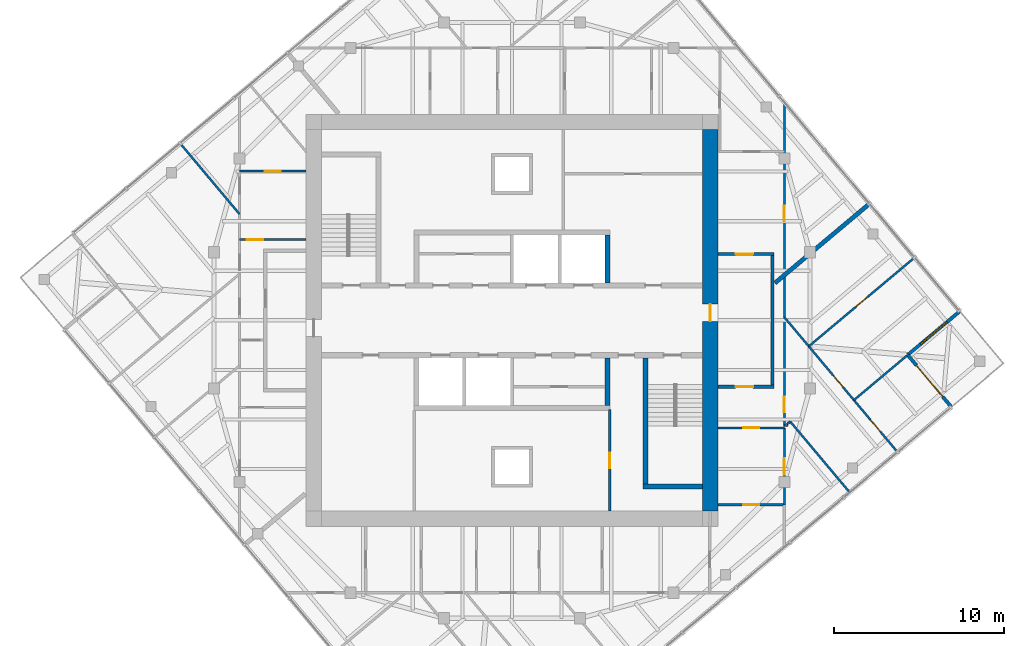
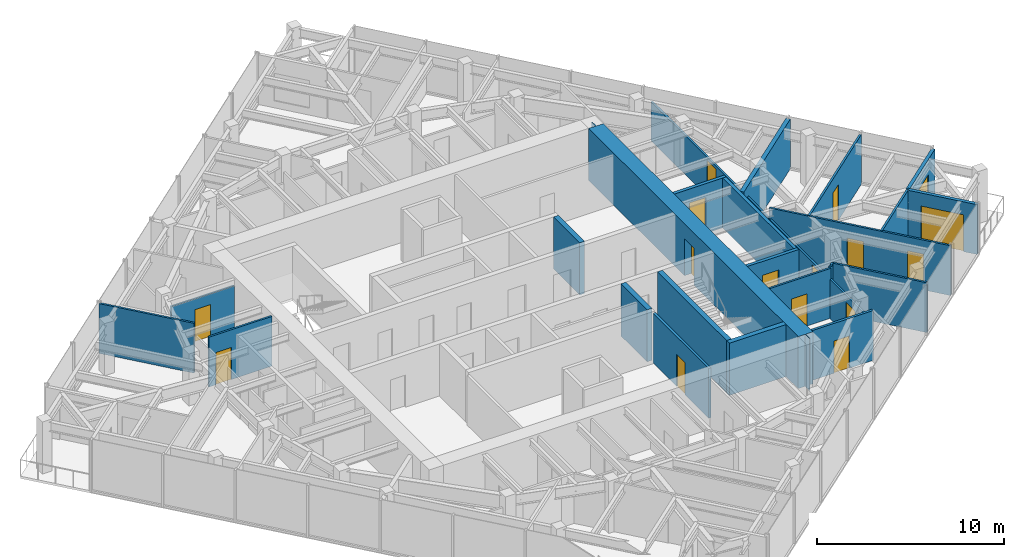
# One storey, part 9 of 12: 25 walls, 15 doors, 1 window, 16 openings.
"""IFC4 building model written with IfcOpenShell, lengths in metres."""

from ifc_helpers import new_model, si_unit, direction, frame, frame_2d, origin, place, context, subcontext, project, spatial, polyline, rectangle, outline, extrude, material, layer, layer_set, type_object, element, fill, save


model = new_model("IFC4")

# Units and contexts
model_context = context("Model", 3, precision=1e-05, world=origin(), true_north=direction((0.0, 1.0)))
body_context = subcontext(model_context, "Body", "Model", "MODEL_VIEW")
ifc_project = project(units=[si_unit("LENGTHUNIT", "METRE"), si_unit("AREAUNIT", "SQUARE_METRE"), si_unit("VOLUMEUNIT", "CUBIC_METRE"), si_unit("PLANEANGLEUNIT", "RADIAN"), si_unit("MASSUNIT", "GRAM", prefix="KILO")], contexts=[model_context])

# Site, building, storey
site_placement = place(None, origin())
site = spatial("IfcSite", under=ifc_project, at=site_placement, CompositionType="ELEMENT")
building_placement = place(site_placement, origin())
building = spatial("IfcBuilding", under=site, at=building_placement, Name="Torsade Residences", CompositionType="ELEMENT")
storey_placement = place(building_placement, frame((0.0, 0.0, 282.800048828125)))
storey = spatial("IfcBuildingStorey", under=building, at=storey_placement, Name="L78", CompositionType="ELEMENT", Elevation=282.800048828125)

# Walls
ifc_material_1 = material(Name="Concrete 80 MPa", Category="concrete")
ifc_layer_1 = layer(ifc_material_1, 0.300048828125)
ifc_layer_set_1 = layer_set([ifc_layer_1], Name="Concrete 80 MPa")
wall_type_1 = type_object("IfcWallType", Name="CORE INTERNAL WALL 300", PredefinedType="SHEAR", material=ifc_layer_set_1)
for number, where, z_axis, x_axis, name in (
    (1, (45.60009765625, 27.800048828125, 0.0), (0.0, 0.0, 1.0), (0.0, -1.0, 0.0), "Core wall DS0 L78"),
    (2, (45.60009765625, 32.199951171875, 0.0), (0.0, 0.0, 1.0), (0.0, 1.0, 0.0), "Core wall DN4 L78"),
):
    element("IfcWall", number, at=place(storey_placement, frame(where, z_axis=z_axis, x_axis=x_axis)), inside=storey, type_object=wall_type_1, Name=name, PredefinedType="SHEAR", context=body_context, shape_type="SweptSolid", body=[
        extrude(rectangle(XDim=2.800048828125, YDim=0.300048828125, at=frame_2d((1.39990234375, 0.0))), origin(), (0.0, 0.0, 1.0), 3.39990234375),
    ])
wall_1_placement = place(storey_placement, frame((47.85009765625, 27.800048828125, 0.0), z_axis=(0.0, 0.0, 1.0), x_axis=(0.0, -1.0, 0.0)))
element("IfcWall", 3, at=wall_1_placement, inside=storey, type_object=wall_type_1, Name="Core wall ST2W L78", PredefinedType="SHEAR", context=body_context, shape_type="SweptSolid", body=[
    extrude(rectangle(XDim=7.699951171875, YDim=0.300048828125, at=frame_2d((3.85009765625, 0.0))), origin(), (0.0, 0.0, 1.0), 3.39990234375),
])
wall_2_placement = place(storey_placement, frame((51.199951171875, 20.25, 0.0), z_axis=(0.0, 0.0, 1.0), x_axis=(-1.0, 0.0, 0.0)))
element("IfcWall", 4, at=wall_2_placement, inside=storey, type_object=wall_type_1, Name="Core wall ST2S L78", PredefinedType="SHEAR", context=body_context, shape_type="SweptSolid", body=[
    extrude(rectangle(XDim=3.5, YDim=0.300048828125, at=frame_2d((1.75, 0.0))), origin(), (0.0, 0.0, 1.0), 3.39990234375),
])

# Wall, opening, door
ifc_material_2 = material(Name="Concrete 80 MPa", Category="concrete")
ifc_layer_2 = layer(ifc_material_2, 0.89990234375)
ifc_layer_set_2 = layer_set([ifc_layer_2], Name="Concrete 80 MPa")
wall_type_2 = type_object("IfcWallType", Name="CORE WALL 900", PredefinedType="SHEAR", material=ifc_layer_set_2)
wall_3_placement = place(storey_placement, frame((51.64990234375, 18.800048828125, 0.0), z_axis=(0.0, 0.0, 1.0), x_axis=(0.0, 1.0, 0.0)))
wall_3 = element("IfcWall", 5, at=wall_3_placement, inside=storey, type_object=wall_type_2, Name="Core wall E L78", PredefinedType="SHEAR", context=body_context, shape_type="SweptSolid", body=[
    extrude(outline(polyline([(0.0, -0.449951171875), (22.39990234375, -0.449951171875), (22.39990234375, -0.02490234375), (22.849853515625, -0.02490234375), (22.849853515625, 0.02490234375), (22.39990234375, 0.02490234375), (22.39990234375, 0.449951171875), (0.0, 0.449951171875), (0.0, 0.02490234375), (-0.449951171875, 0.02490234375), (-0.449951171875, -0.02490234375), (0.0, -0.02490234375), (0.0, -0.449951171875)])), origin(), (0.0, 0.0, 1.0), 3.39990234375),
])
opening_1_placement = place(wall_3_placement, frame((11.139892578125, 0.0, 0.0)))
opening_1 = element("IfcOpeningElement", 6, at=opening_1_placement, cuts=wall_3, Name="Opening D04", PredefinedType="OPENING", context=body_context, shape_type="SweptSolid", body=[
    extrude(rectangle(XDim=1.02001953125, YDim=2.39990234375, at=frame_2d((0.510009765625, 1.199951171875))), frame((0.0, 0.4599609375, 0.0), z_axis=(0.0, -1.0, 0.0), x_axis=(1.0, 0.0, 0.0)), (0.0, 0.0, 1.0), 0.919921875),
])
ifc_material_3 = material(Name="Steel-framed fire door", Category="steel")
door_type_1 = type_object("IfcDoorType", Name="LOBBY SMOKE DOOR 1020x2400", OperationType="NOTDEFINED", PredefinedType="DOOR", material=ifc_material_3)
door_1_placement = place(opening_1_placement, origin())
door_1 = element("IfcDoor", 7, at=door_1_placement, inside=storey, type_object=door_type_1, Name="Lift lobby door E L78", OperationType="SINGLE_SWING_LEFT", OverallHeight=2.39990234375, OverallWidth=1.02001953125, PredefinedType="DOOR", context=body_context, shape_type="SweptSolid", body=[
    extrude(rectangle(XDim=1.02001953125, YDim=2.39990234375, at=frame_2d((0.510009765625, 1.199951171875))), frame((0.0, 0.02490234375, 0.0), z_axis=(0.0, -1.0, 0.0), x_axis=(1.0, 0.0, 0.0)), (0.0, 0.0, 1.0), 0.050048828125),
])
fill(opening_1, door_1)

# Wall
ifc_material_4 = material(Name="Plasterboard on steel stud", Category="steel")
ifc_layer_3 = layer(ifc_material_4, 0.199951171875)
ifc_layer_set_3 = layer_set([ifc_layer_3], Name="Plasterboard on steel stud")
wall_type_3 = type_object("IfcWallType", Name="CORRIDOR WALL 200", PredefinedType="PARTITIONING", material=ifc_layer_set_3)
wall_4_placement = place(storey_placement, frame((55.300048828125, 26.10009765625, 0.0), z_axis=(0.0, 0.0, 1.0), x_axis=(0.0, 1.0, 0.0)))
element("IfcWall", 8, at=wall_4_placement, inside=storey, type_object=wall_type_3, Name="Corridor wall L78", PredefinedType="PARTITIONING", context=body_context, shape_type="SweptSolid", body=[
    extrude(rectangle(XDim=7.7998046875, YDim=0.199951171875, at=frame_2d((3.89990234375, 0.0))), origin(), (0.0, 0.0, 1.0), 3.25),
])

# Wall, opening, door
wall_5_placement = place(storey_placement, frame((52.10009765625, 33.89990234375, 0.0), z_axis=(0.0, 0.0, 1.0), x_axis=(1.0, 0.0, 0.0)))
wall_5 = element("IfcWall", 9, at=wall_5_placement, inside=storey, type_object=wall_type_3, Name="Corridor wall L78", PredefinedType="PARTITIONING", context=body_context, shape_type="SweptSolid", body=[
    extrude(rectangle(XDim=3.2998046875, YDim=0.199951171875, at=frame_2d((1.64990234375, 0.0))), origin(), (0.0, 0.0, 1.0), 3.25),
])
opening_2_placement = place(wall_5_placement, frame((1.0400390625, 0.0, 0.0)))
opening_2 = element("IfcOpeningElement", 10, at=opening_2_placement, cuts=wall_5, Name="Opening D01", PredefinedType="OPENING", context=body_context, shape_type="SweptSolid", body=[
    extrude(rectangle(XDim=1.02001953125, YDim=2.340087890625, at=frame_2d((0.510009765625, 1.169921875))), frame((0.0, 0.10986328125, 0.0), z_axis=(0.0, -1.0, 0.0), x_axis=(1.0, 0.0, 0.0)), (0.0, 0.0, 1.0), 0.219970703125),
])
ifc_material_5 = material(Name="Solid-core timber fire door", Category="wood")
door_type_2 = type_object("IfcDoorType", Name="APARTMENT ENTRY DOOR 1020x2340", OperationType="NOTDEFINED", PredefinedType="DOOR", material=ifc_material_5)
door_2_placement = place(opening_2_placement, origin())
door_2 = element("IfcDoor", 11, at=door_2_placement, inside=storey, type_object=door_type_2, Name="Door Residential corridor to Kitchen and dining", OperationType="SINGLE_SWING_LEFT", OverallHeight=2.340087890625, OverallWidth=1.02001953125, PredefinedType="DOOR", context=body_context, shape_type="SweptSolid", body=[
    extrude(rectangle(XDim=1.02001953125, YDim=2.340087890625, at=frame_2d((0.510009765625, 1.169921875))), frame((0.0, 0.02490234375, 0.0), z_axis=(0.0, -1.0, 0.0), x_axis=(1.0, 0.0, 0.0)), (0.0, 0.0, 1.0), 0.050048828125),
])
fill(opening_2, door_2)

wall_6_placement = place(storey_placement, frame((52.10009765625, 26.10009765625, 0.0), z_axis=(0.0, 0.0, 1.0), x_axis=(1.0, 0.0, 0.0)))
wall_6 = element("IfcWall", 12, at=wall_6_placement, inside=storey, type_object=wall_type_3, Name="Corridor wall L78", PredefinedType="PARTITIONING", context=body_context, shape_type="SweptSolid", body=[
    extrude(rectangle(XDim=3.2998046875, YDim=0.199951171875, at=frame_2d((1.64990234375, 0.0))), origin(), (0.0, 0.0, 1.0), 3.25),
])
opening_3_placement = place(wall_6_placement, frame((1.0400390625, 0.0, 0.0)))
opening_3 = element("IfcOpeningElement", 13, at=opening_3_placement, cuts=wall_6, Name="Opening D01", PredefinedType="OPENING", context=body_context, shape_type="SweptSolid", body=[
    extrude(rectangle(XDim=1.02001953125, YDim=2.340087890625, at=frame_2d((0.510009765625, 1.169921875))), frame((0.0, 0.10986328125, 0.0), z_axis=(0.0, -1.0, 0.0), x_axis=(1.0, 0.0, 0.0)), (0.0, 0.0, 1.0), 0.219970703125),
])
door_3_placement = place(opening_3_placement, origin())
door_3 = element("IfcDoor", 14, at=door_3_placement, inside=storey, type_object=door_type_2, Name="Door Residential corridor to Kitchen and dining", OperationType="SINGLE_SWING_LEFT", OverallHeight=2.340087890625, OverallWidth=1.02001953125, PredefinedType="DOOR", context=body_context, shape_type="SweptSolid", body=[
    extrude(rectangle(XDim=1.02001953125, YDim=2.340087890625, at=frame_2d((0.510009765625, 1.169921875))), frame((0.0, 0.02490234375, 0.0), z_axis=(0.0, -1.0, 0.0), x_axis=(1.0, 0.0, 0.0)), (0.0, 0.0, 1.0), 0.050048828125),
])
fill(opening_3, door_3)

ifc_material_6 = material(Name="Plasterboard on steel stud", Category="steel")
ifc_layer_4 = layer(ifc_material_6, 0.1201171875)
ifc_layer_set_4 = layer_set([ifc_layer_4], Name="Plasterboard on steel stud")
wall_type_4 = type_object("IfcWallType", Name="PARTITION 120", PredefinedType="PARTITIONING", material=ifc_layer_set_4)
wall_7_placement = place(storey_placement, frame((56.0, 23.68115234375, 0.0), z_axis=(0.0, 0.0, 1.0), x_axis=(-1.0, 0.0, 0.0)))
wall_7 = element("IfcWall", 15, at=wall_7_placement, inside=storey, type_object=wall_type_4, Name="Partition L78", PredefinedType="PARTITIONING", context=body_context, shape_type="SweptSolid", body=[
    extrude(rectangle(XDim=3.89990234375, YDim=0.1201171875, at=frame_2d((1.949951171875, 0.0))), origin(), (0.0, 0.0, 1.0), 3.25),
])
opening_4_placement = place(wall_7_placement, frame((1.469970703125, 0.0, 0.0)))
opening_4 = element("IfcOpeningElement", 16, at=opening_4_placement, cuts=wall_7, Name="Opening D05", PredefinedType="OPENING", context=body_context, shape_type="SweptSolid", body=[
    extrude(rectangle(XDim=0.9599609375, YDim=2.10009765625, at=frame_2d((0.47998046875, 1.050048828125))), frame((0.0, 0.070068359375, 0.0), z_axis=(0.0, -1.0, 0.0), x_axis=(1.0, 0.0, 0.0)), (0.0, 0.0, 1.0), 0.14013671875),
])
ifc_material_7 = material(Name="Hollow-core timber door in a steel cavity frame", Category="steel")
door_type_3 = type_object("IfcDoorType", Name="BATHROOM CAVITY SLIDING DOOR 960", OperationType="SLIDING_TO_LEFT", PredefinedType="DOOR", material=ifc_material_7)
door_4_placement = place(opening_4_placement, origin())
door_4 = element("IfcDoor", 17, at=door_4_placement, inside=storey, type_object=door_type_3, Name="Door Kitchen and dining to Laundry", OperationType="SLIDING_TO_LEFT", OverallHeight=2.10009765625, OverallWidth=0.9599609375, PredefinedType="DOOR", context=body_context, shape_type="SweptSolid", body=[
    extrude(rectangle(XDim=0.9599609375, YDim=2.10009765625, at=frame_2d((0.47998046875, 1.050048828125))), frame((0.0, 0.02490234375, 0.0), z_axis=(0.0, -1.0, 0.0), x_axis=(1.0, 0.0, 0.0)), (0.0, 0.0, 1.0), 0.050048828125),
])
fill(opening_4, door_4)

# Wall, openings, doors
wall_8_placement = place(storey_placement, frame((56.0, 42.761962890625, 0.0), z_axis=(0.0, 0.0, 1.0), x_axis=(0.0, -1.0, 0.0)))
wall_8 = element("IfcWall", 18, at=wall_8_placement, inside=storey, type_object=wall_type_4, Name="Partition L78", PredefinedType="PARTITIONING", context=body_context, shape_type="SweptSolid", body=[
    extrude(rectangle(XDim=18.995361328125, YDim=0.1201171875, at=frame_2d((9.49755859375, 0.0))), origin(), (0.0, 0.0, 1.0), 2.549072265625),
])
opening_5_placement = place(wall_8_placement, frame((17.23779296875, 0.0, 0.0)))
opening_5 = element("IfcOpeningElement", 19, at=opening_5_placement, cuts=wall_8, Name="Opening D02", PredefinedType="OPENING", context=body_context, shape_type="SweptSolid", body=[
    extrude(rectangle(XDim=0.919921875, YDim=2.340087890625, at=frame_2d((0.4599609375, 1.169921875))), frame((0.0, 0.070068359375, 0.0), z_axis=(0.0, -1.0, 0.0), x_axis=(1.0, 0.0, 0.0)), (0.0, 0.0, 1.0), 0.14013671875),
])
opening_6_placement = place(wall_8_placement, frame((6.01708984375, 0.0, 0.0)))
opening_6 = element("IfcOpeningElement", 20, at=opening_6_placement, cuts=wall_8, Name="Opening D02", PredefinedType="OPENING", context=body_context, shape_type="SweptSolid", body=[
    extrude(rectangle(XDim=0.919921875, YDim=2.340087890625, at=frame_2d((0.4599609375, 1.169921875))), frame((0.0, 0.070068359375, 0.0), z_axis=(0.0, -1.0, 0.0), x_axis=(1.0, 0.0, 0.0)), (0.0, 0.0, 1.0), 0.14013671875),
])
ifc_material_8 = material(Name="Hollow-core timber door", Category="wood")
door_type_4 = type_object("IfcDoorType", Name="INTERNAL DOOR 920x2340", OperationType="NOTDEFINED", PredefinedType="DOOR", material=ifc_material_8)
door_5_placement = place(opening_5_placement, origin())
door_5 = element("IfcDoor", 21, at=door_5_placement, inside=storey, type_object=door_type_4, Name="Door Kitchen and dining to Bedroom 3", OperationType="SINGLE_SWING_RIGHT", OverallHeight=2.340087890625, OverallWidth=0.919921875, PredefinedType="DOOR", context=body_context, shape_type="SweptSolid", body=[
    extrude(rectangle(XDim=0.919921875, YDim=2.340087890625, at=frame_2d((0.4599609375, 1.169921875))), frame((0.0, 0.02490234375, 0.0), z_axis=(0.0, -1.0, 0.0), x_axis=(1.0, 0.0, 0.0)), (0.0, 0.0, 1.0), 0.050048828125),
])
fill(opening_5, door_5)
door_6_placement = place(opening_6_placement, origin())
door_6 = element("IfcDoor", 22, at=door_6_placement, inside=storey, type_object=door_type_4, Name="Door Kitchen and dining to Bedroom 3", OperationType="SINGLE_SWING_LEFT", OverallHeight=2.340087890625, OverallWidth=0.919921875, PredefinedType="DOOR", context=body_context, shape_type="SweptSolid", body=[
    extrude(rectangle(XDim=0.919921875, YDim=2.340087890625, at=frame_2d((0.4599609375, 1.169921875))), frame((0.0, 0.02490234375, 0.0), z_axis=(0.0, -1.0, 0.0), x_axis=(1.0, 0.0, 0.0)), (0.0, 0.0, 1.0), 0.050048828125),
])
fill(opening_6, door_6)

# Wall, opening, door
wall_9_placement = place(storey_placement, frame((56.0, 23.68115234375, 0.0), z_axis=(0.0, 0.0, 1.0), x_axis=(0.0, -1.0, 0.0)))
wall_9 = element("IfcWall", 23, at=wall_9_placement, inside=storey, type_object=wall_type_4, Name="Partition L78", PredefinedType="PARTITIONING", context=body_context, shape_type="SweptSolid", body=[
    extrude(rectangle(XDim=4.519287109375, YDim=0.1201171875, at=frame_2d((2.259765625, 0.0))), origin(), (0.0, 0.0, 1.0), 2.549072265625),
])
opening_7_placement = place(wall_9_placement, frame((1.779541015625, 0.0, 0.0)))
opening_7 = element("IfcOpeningElement", 24, at=opening_7_placement, cuts=wall_9, Name="Opening D05", PredefinedType="OPENING", context=body_context, shape_type="SweptSolid", body=[
    extrude(rectangle(XDim=0.9599609375, YDim=2.10009765625, at=frame_2d((0.47998046875, 1.050048828125))), frame((0.0, 0.070068359375, 0.0), z_axis=(0.0, -1.0, 0.0), x_axis=(1.0, 0.0, 0.0)), (0.0, 0.0, 1.0), 0.14013671875),
])
door_7_placement = place(opening_7_placement, origin())
door_7 = element("IfcDoor", 25, at=door_7_placement, inside=storey, type_object=door_type_3, Name="Door Laundry to Dining room", OperationType="SLIDING_TO_LEFT", OverallHeight=2.10009765625, OverallWidth=0.9599609375, PredefinedType="DOOR", context=body_context, shape_type="SweptSolid", body=[
    extrude(rectangle(XDim=0.9599609375, YDim=2.10009765625, at=frame_2d((0.47998046875, 1.050048828125))), frame((0.0, 0.02490234375, 0.0), z_axis=(0.0, -1.0, 0.0), x_axis=(1.0, 0.0, 0.0)), (0.0, 0.0, 1.0), 0.050048828125),
])
fill(opening_7, door_7)

# Wall, openings, doors
wall_10_placement = place(storey_placement, frame((62.631103515625, 22.28125, 0.0), z_axis=(0.0, 0.0, 1.0), x_axis=(-0.64277851249, 0.766052076481, 0.0)))
wall_10 = element("IfcWall", 26, at=wall_10_placement, inside=storey, type_object=wall_type_4, Name="Partition L78", PredefinedType="PARTITIONING", context=body_context, shape_type="SweptSolid", body=[
    extrude(rectangle(XDim=10.31640625, YDim=0.1201171875, at=frame_2d((5.158203125, 0.0))), origin(), (0.0, 0.0, 1.0), 3.25),
])
opening_8_placement = place(wall_10_placement, frame((4.96240234375, 0.0, 0.0)))
opening_8 = element("IfcOpeningElement", 27, at=opening_8_placement, cuts=wall_10, Name="Opening D02", PredefinedType="OPENING", context=body_context, shape_type="SweptSolid", body=[
    extrude(rectangle(XDim=0.919921875, YDim=2.340087890625, at=frame_2d((0.4599609375, 1.169921875))), frame((0.0, 0.070068359375, 0.0), z_axis=(0.0, -1.0, 0.0), x_axis=(1.0, 0.0, 0.0)), (0.0, 0.0, 1.0), 0.14013671875),
])
opening_9_placement = place(wall_10_placement, frame((1.52490234375, 0.0, 0.0)))
opening_9 = element("IfcOpeningElement", 28, at=opening_9_placement, cuts=wall_10, Name="Opening D02", PredefinedType="OPENING", context=body_context, shape_type="SweptSolid", body=[
    extrude(rectangle(XDim=0.919921875, YDim=2.340087890625, at=frame_2d((0.4599609375, 1.169921875))), frame((0.0, 0.070068359375, 0.0), z_axis=(0.0, -1.0, 0.0), x_axis=(1.0, 0.0, 0.0)), (0.0, 0.0, 1.0), 0.14013671875),
])
door_8_placement = place(opening_8_placement, origin())
door_8 = element("IfcDoor", 29, at=door_8_placement, inside=storey, type_object=door_type_4, Name="Door Bedroom 3 to Bedroom 2", OperationType="SINGLE_SWING_LEFT", OverallHeight=2.340087890625, OverallWidth=0.919921875, PredefinedType="DOOR", context=body_context, shape_type="SweptSolid", body=[
    extrude(rectangle(XDim=0.919921875, YDim=2.340087890625, at=frame_2d((0.4599609375, 1.169921875))), frame((0.0, 0.02490234375, 0.0), z_axis=(0.0, -1.0, 0.0), x_axis=(1.0, 0.0, 0.0)), (0.0, 0.0, 1.0), 0.050048828125),
])
fill(opening_8, door_8)
door_9_placement = place(opening_9_placement, origin())
door_9 = element("IfcDoor", 30, at=door_9_placement, inside=storey, type_object=door_type_4, Name="Door Bedroom 3 to Family room", OperationType="SINGLE_SWING_RIGHT", OverallHeight=2.340087890625, OverallWidth=0.919921875, PredefinedType="DOOR", context=body_context, shape_type="SweptSolid", body=[
    extrude(rectangle(XDim=0.919921875, YDim=2.340087890625, at=frame_2d((0.4599609375, 1.169921875))), frame((0.0, 0.02490234375, 0.0), z_axis=(0.0, -1.0, 0.0), x_axis=(1.0, 0.0, 0.0)), (0.0, 0.0, 1.0), 0.050048828125),
])
fill(opening_9, door_9)

# Wall, opening, door
wall_11_placement = place(storey_placement, frame((57.434326171875, 28.474609375, 0.0), z_axis=(0.0, 0.0, 1.0), x_axis=(0.766033729027, 0.642800378028, 0.0)))
wall_11 = element("IfcWall", 31, at=wall_11_placement, inside=storey, type_object=wall_type_4, Name="Partition L78", PredefinedType="PARTITIONING", context=body_context, shape_type="SweptSolid", body=[
    extrude(rectangle(XDim=8.0849609375, YDim=0.1201171875, at=frame_2d((4.04248046875, 0.0))), origin(), (0.0, 0.0, 1.0), 3.25),
])
opening_10_placement = place(wall_11_placement, frame((3.6025390625, 0.0, 0.0)))
opening_10 = element("IfcOpeningElement", 32, at=opening_10_placement, cuts=wall_11, Name="Opening D02", PredefinedType="OPENING", context=body_context, shape_type="SweptSolid", body=[
    extrude(rectangle(XDim=0.919921875, YDim=2.340087890625, at=frame_2d((0.4599609375, 1.169921875))), frame((0.0, 0.070068359375, 0.0), z_axis=(0.0, -1.0, 0.0), x_axis=(1.0, 0.0, 0.0)), (0.0, 0.0, 1.0), 0.14013671875),
])
door_10_placement = place(opening_10_placement, origin())
door_10 = element("IfcDoor", 33, at=door_10_placement, inside=storey, type_object=door_type_4, Name="Door Bedroom 2 to Bedroom 4", OperationType="SINGLE_SWING_LEFT", OverallHeight=2.340087890625, OverallWidth=0.919921875, PredefinedType="DOOR", context=body_context, shape_type="SweptSolid", body=[
    extrude(rectangle(XDim=0.919921875, YDim=2.340087890625, at=frame_2d((0.4599609375, 1.169921875))), frame((0.0, 0.02490234375, 0.0), z_axis=(0.0, -1.0, 0.0), x_axis=(1.0, 0.0, 0.0)), (0.0, 0.0, 1.0), 0.050048828125),
])
fill(opening_10, door_10)

# Walls
wall_12_placement = place(storey_placement, frame((63.215087890625, 27.9404296875, 0.0), z_axis=(0.0, 0.0, 1.0), x_axis=(-0.766036790562, -0.642796729538, 0.0)))
element("IfcWall", 34, at=wall_12_placement, inside=storey, type_object=wall_type_4, Name="Partition L78", PredefinedType="PARTITIONING", context=body_context, shape_type="SweptSolid", body=[
    extrude(rectangle(XDim=4.0849609375, YDim=0.1201171875, at=frame_2d((2.04248046875, 0.0))), origin(), (0.0, 0.0, 1.0), 3.25),
])
wall_13_placement = place(storey_placement, frame((59.81591796875, 19.9189453125, 0.0), z_axis=(0.0, 0.0, 1.0), x_axis=(-0.642773197476, 0.766056536168, 0.0)))
element("IfcWall", 35, at=wall_13_placement, inside=storey, type_object=wall_type_4, Name="Partition L78", PredefinedType="PARTITIONING", context=body_context, shape_type="SweptSolid", body=[
    extrude(rectangle(XDim=5.400390625, YDim=0.1201171875, at=frame_2d((2.7001953125, 0.0))), origin(), (0.0, 0.0, 1.0), 3.25),
])
wall_14_placement = place(storey_placement, frame((56.3447265625, 24.055908203125, 0.0), z_axis=(0.0, 0.0, 1.0), x_axis=(-0.766260492227, -0.642530044474, 0.0)))
element("IfcWall", 36, at=wall_14_placement, inside=storey, type_object=wall_type_4, Name="Partition L78", PredefinedType="PARTITIONING", context=body_context, shape_type="SweptSolid", body=[
    extrude(rectangle(XDim=0.224853515625, YDim=0.1201171875, at=frame_2d((0.1123046875, 0.0))), origin(), (0.0, 0.0, 1.0), 3.25),
])
wall_15_placement = place(storey_placement, frame((56.206787109375, 23.816650390625, 0.0), z_axis=(0.0, 0.0, 1.0), x_axis=(-1.0, 0.0, 0.0)))
element("IfcWall", 37, at=wall_15_placement, inside=storey, type_object=wall_type_4, Name="Partition L78", PredefinedType="PARTITIONING", context=body_context, shape_type="SweptSolid", body=[
    extrude(rectangle(XDim=0.206787109375, YDim=0.1201171875, at=frame_2d((0.103515625, 0.0))), origin(), (0.0, 0.0, 1.0), 3.25),
])

# Wall, opening, door
wall_16_placement = place(storey_placement, frame((24.0, 34.742431640625, 0.0), z_axis=(0.0, 0.0, 1.0), x_axis=(1.0, 0.0, 0.0)))
wall_16 = element("IfcWall", 38, at=wall_16_placement, inside=storey, type_object=wall_type_4, Name="Partition L78", PredefinedType="PARTITIONING", context=body_context, shape_type="SweptSolid", body=[
    extrude(rectangle(XDim=3.89990234375, YDim=0.1201171875, at=frame_2d((1.949951171875, 0.0))), origin(), (0.0, 0.0, 1.0), 3.25),
])
opening_11_placement = place(wall_16_placement, frame((0.419921875, 0.0, 0.0)))
opening_11 = element("IfcOpeningElement", 39, at=opening_11_placement, cuts=wall_16, Name="Opening D05", PredefinedType="OPENING", context=body_context, shape_type="SweptSolid", body=[
    extrude(rectangle(XDim=0.9599609375, YDim=2.10009765625, at=frame_2d((0.47998046875, 1.050048828125))), frame((0.0, 0.070068359375, 0.0), z_axis=(0.0, -1.0, 0.0), x_axis=(1.0, 0.0, 0.0)), (0.0, 0.0, 1.0), 0.14013671875),
])
door_11_placement = place(opening_11_placement, origin())
door_11 = element("IfcDoor", 40, at=door_11_placement, inside=storey, type_object=door_type_3, Name="Door Kitchen and dining to Laundry", OperationType="SLIDING_TO_LEFT", OverallHeight=2.10009765625, OverallWidth=0.9599609375, PredefinedType="DOOR", context=body_context, shape_type="SweptSolid", body=[
    extrude(rectangle(XDim=0.9599609375, YDim=2.10009765625, at=frame_2d((0.47998046875, 1.050048828125))), frame((0.0, 0.02490234375, 0.0), z_axis=(0.0, -1.0, 0.0), x_axis=(1.0, 0.0, 0.0)), (0.0, 0.0, 1.0), 0.050048828125),
])
fill(opening_11, door_11)

wall_17_placement = place(storey_placement, frame((27.89990234375, 38.762451171875, 0.0), z_axis=(0.0, 0.0, 1.0), x_axis=(-1.0, 0.0, 0.0)))
wall_17 = element("IfcWall", 41, at=wall_17_placement, inside=storey, type_object=wall_type_4, Name="Partition L78", PredefinedType="PARTITIONING", context=body_context, shape_type="SweptSolid", body=[
    extrude(rectangle(XDim=3.89990234375, YDim=0.1201171875, at=frame_2d((1.949951171875, 0.0))), origin(), (0.0, 0.0, 1.0), 2.7958984375),
])
opening_12_placement = place(wall_17_placement, frame((1.469970703125, 0.0, 0.0)))
opening_12 = element("IfcOpeningElement", 42, at=opening_12_placement, cuts=wall_17, Name="Opening D05", PredefinedType="OPENING", context=body_context, shape_type="SweptSolid", body=[
    extrude(rectangle(XDim=0.9599609375, YDim=2.10009765625, at=frame_2d((0.47998046875, 1.050048828125))), frame((0.0, 0.070068359375, 0.0), z_axis=(0.0, -1.0, 0.0), x_axis=(1.0, 0.0, 0.0)), (0.0, 0.0, 1.0), 0.14013671875),
])
door_12_placement = place(opening_12_placement, origin())
door_12 = element("IfcDoor", 43, at=door_12_placement, inside=storey, type_object=door_type_3, Name="Door Laundry to Dressing room", OperationType="SLIDING_TO_LEFT", OverallHeight=2.10009765625, OverallWidth=0.9599609375, PredefinedType="DOOR", context=body_context, shape_type="SweptSolid", body=[
    extrude(rectangle(XDim=0.9599609375, YDim=2.10009765625, at=frame_2d((0.47998046875, 1.050048828125))), frame((0.0, 0.02490234375, 0.0), z_axis=(0.0, -1.0, 0.0), x_axis=(1.0, 0.0, 0.0)), (0.0, 0.0, 1.0), 0.050048828125),
])
fill(opening_12, door_12)

# Walls
wall_18_placement = place(storey_placement, frame((20.528564453125, 40.370361328125, 0.0), z_axis=(0.0, 0.0, 1.0), x_axis=(0.642799726543, -0.766034275706, 0.0)))
element("IfcWall", 44, at=wall_18_placement, inside=storey, type_object=wall_type_4, Name="Partition L78", PredefinedType="PARTITIONING", context=body_context, shape_type="SweptSolid", body=[
    extrude(rectangle(XDim=5.400390625, YDim=0.1201171875, at=frame_2d((2.7001953125, 0.0))), origin(), (0.0, 0.0, 1.0), 3.25),
])
ifc_material_9 = material(Name="Masonry-lined stud party wall", Category="masonry")
ifc_layer_5 = layer(ifc_material_9, 0.25)
ifc_layer_set_5 = layer_set([ifc_layer_5], Name="Masonry-lined stud party wall")
wall_type_5 = type_object("IfcWallType", Name="PARTY WALL 250", PredefinedType="PARTITIONING", material=ifc_layer_set_5)
wall_19_placement = place(storey_placement, frame((61.0068359375, 36.857177734375, 0.0), z_axis=(0.0, 0.0, 1.0), x_axis=(-0.766054150891, -0.642776040237, 0.0)))
element("IfcWall", 45, at=wall_19_placement, inside=storey, type_object=wall_type_5, Name="Party wall L78", PredefinedType="PARTITIONING", context=body_context, shape_type="SweptSolid", body=[
    extrude(rectangle(XDim=7.254150390625, YDim=0.25, at=frame_2d((3.626953125, 0.0))), origin(), (0.0, 0.0, 1.0), 3.25),
])

# Wall, opening, door
ifc_material_10 = material(Name="Reinforced blockwork", Category="masonry")
ifc_layer_6 = layer(ifc_material_10, 0.14990234375)
ifc_layer_set_6 = layer_set([ifc_layer_6], Name="Reinforced blockwork")
wall_type_6 = type_object("IfcWallType", Name="SERVICE ROOM WALL 150", PredefinedType="SOLIDWALL", material=ifc_layer_set_6)
wall_20_placement = place(storey_placement, frame((45.75, 18.800048828125, 0.0), z_axis=(0.0, 0.0, 1.0), x_axis=(0.0, 1.0, 0.0)))
wall_20 = element("IfcWall", 46, at=wall_20_placement, inside=storey, type_object=wall_type_6, Name="Service room wall L78", PredefinedType="SOLIDWALL", context=body_context, shape_type="SweptSolid", body=[
    extrude(rectangle(XDim=5.949951171875, YDim=0.14990234375, at=frame_2d((2.97509765625, 0.0))), origin(), (0.0, 0.0, 1.0), 3.25),
])
opening_13_placement = place(wall_20_placement, frame((2.514892578125, 0.0, 0.0)))
opening_13 = element("IfcOpeningElement", 47, at=opening_13_placement, cuts=wall_20, Name="Opening D06", PredefinedType="OPENING", context=body_context, shape_type="SweptSolid", body=[
    extrude(rectangle(XDim=0.919921875, YDim=2.10009765625, at=frame_2d((0.4599609375, 1.050048828125))), frame((0.0, 0.0849609375, 0.0), z_axis=(0.0, -1.0, 0.0), x_axis=(1.0, 0.0, 0.0)), (0.0, 0.0, 1.0), 0.169921875),
])
ifc_material_11 = material(Name="Steel-framed fire door", Category="steel")
door_type_5 = type_object("IfcDoorType", Name="FIRE DOOR 920", OperationType="NOTDEFINED", PredefinedType="DOOR", material=ifc_material_11)
door_13_placement = place(opening_13_placement, origin())
door_13 = element("IfcDoor", 48, at=door_13_placement, inside=storey, type_object=door_type_5, Name="Door Security and data store to Communications riser room", OperationType="SINGLE_SWING_LEFT", OverallHeight=2.10009765625, OverallWidth=0.919921875, PredefinedType="DOOR", context=body_context, shape_type="SweptSolid", body=[
    extrude(rectangle(XDim=0.919921875, YDim=2.10009765625, at=frame_2d((0.4599609375, 1.050048828125))), frame((0.0, 0.02490234375, 0.0), z_axis=(0.0, -1.0, 0.0), x_axis=(1.0, 0.0, 0.0)), (0.0, 0.0, 1.0), 0.050048828125),
])
fill(opening_13, door_13)

wall_21_placement = place(storey_placement, frame((56.0, 19.161865234375, 0.0), z_axis=(0.0, 0.0, 1.0), x_axis=(-1.0, 0.0, 0.0)))
wall_21 = element("IfcWall", 49, at=wall_21_placement, inside=storey, type_object=wall_type_6, Name="Service room wall L78", PredefinedType="SOLIDWALL", context=body_context, shape_type="SweptSolid", body=[
    extrude(rectangle(XDim=3.89990234375, YDim=0.14990234375, at=frame_2d((1.949951171875, 0.0))), origin(), (0.0, 0.0, 1.0), 3.25),
])
opening_14_placement = place(wall_21_placement, frame((1.469970703125, 0.0, 0.0)))
opening_14 = element("IfcOpeningElement", 50, at=opening_14_placement, cuts=wall_21, Name="Opening D05", PredefinedType="OPENING", context=body_context, shape_type="SweptSolid", body=[
    extrude(rectangle(XDim=0.9599609375, YDim=2.10009765625, at=frame_2d((0.47998046875, 1.050048828125))), frame((0.0, 0.0849609375, 0.0), z_axis=(0.0, -1.0, 0.0), x_axis=(1.0, 0.0, 0.0)), (0.0, 0.0, 1.0), 0.169921875),
])
door_14_placement = place(opening_14_placement, origin())
door_14 = element("IfcDoor", 51, at=door_14_placement, inside=storey, type_object=door_type_3, Name="Door Laundry to Linen store 2", OperationType="SLIDING_TO_LEFT", OverallHeight=2.10009765625, OverallWidth=0.9599609375, PredefinedType="DOOR", context=body_context, shape_type="SweptSolid", body=[
    extrude(rectangle(XDim=0.9599609375, YDim=2.10009765625, at=frame_2d((0.47998046875, 1.050048828125))), frame((0.0, 0.02490234375, 0.0), z_axis=(0.0, -1.0, 0.0), x_axis=(1.0, 0.0, 0.0)), (0.0, 0.0, 1.0), 0.050048828125),
])
fill(opening_14, door_14)

ifc_material_12 = material(Name="Stone-faced precast concrete 40 MPa panel", Category="masonry")
ifc_layer_7 = layer(ifc_material_12, 0.199951171875)
ifc_layer_set_7 = layer_set([ifc_layer_7], Name="Stone-faced precast concrete 40 MPa panel")
wall_type_7 = type_object("IfcWallType", Name="TERRACE WALL 200", PredefinedType="SOLIDWALL", material=ifc_layer_set_7)
wall_22_placement = place(storey_placement, frame((65.81689453125, 24.902099609375, 0.0), z_axis=(0.0, 0.0, 1.0), x_axis=(-0.642768287094, 0.766060656284, 0.0)))
wall_22 = element("IfcWall", 52, at=wall_22_placement, inside=storey, type_object=wall_type_7, Name="Terrace wall L78 2", PredefinedType="SOLIDWALL", context=body_context, shape_type="SweptSolid", body=[
    extrude(rectangle(XDim=4.0, YDim=0.199951171875, at=frame_2d((2.0, 0.0))), origin(), (0.0, 0.0, 1.0), 3.25),
])
opening_15_placement = place(wall_22_placement, frame((0.800048828125, 0.0, 0.0)))
opening_15 = element("IfcOpeningElement", 53, at=opening_15_placement, cuts=wall_22, Name="Opening D10", PredefinedType="OPENING", context=body_context, shape_type="SweptSolid", body=[
    extrude(rectangle(XDim=2.39990234375, YDim=2.39990234375, at=frame_2d((1.199951171875, 1.199951171875))), frame((0.0, 0.10986328125, 0.0), z_axis=(0.0, -1.0, 0.0), x_axis=(1.0, 0.0, 0.0)), (0.0, 0.0, 1.0), 0.219970703125),
])
ifc_material_13 = material(Name="Aluminium-framed glass door", Category="aluminium")
door_type_6 = type_object("IfcDoorType", Name="TERRACE SLIDING DOOR 2400", OperationType="SLIDING_TO_LEFT", PredefinedType="DOOR", material=ifc_material_13)
door_15_placement = place(opening_15_placement, origin())
door_15 = element("IfcDoor", 54, at=door_15_placement, inside=storey, type_object=door_type_6, Name="Terrace door L78 2", OperationType="SLIDING_TO_LEFT", OverallHeight=2.39990234375, OverallWidth=2.39990234375, PredefinedType="DOOR", context=body_context, shape_type="SweptSolid", body=[
    extrude(rectangle(XDim=2.39990234375, YDim=2.39990234375, at=frame_2d((1.199951171875, 1.199951171875))), frame((0.0, 0.02490234375, 0.0), z_axis=(0.0, -1.0, 0.0), x_axis=(1.0, 0.0, 0.0)), (0.0, 0.0, 1.0), 0.050048828125),
])
fill(opening_15, door_15)

# Wall, opening, window
wall_23_placement = place(storey_placement, frame((63.245849609375, 27.96630859375, 0.0), z_axis=(0.0, 0.0, 1.0), x_axis=(0.766035437498, 0.642798342015, 0.0)))
wall_23 = element("IfcWall", 55, at=wall_23_placement, inside=storey, type_object=wall_type_7, Name="Terrace wall L78 3", PredefinedType="SOLIDWALL", context=body_context, shape_type="SweptSolid", body=[
    extrude(rectangle(XDim=3.999755859375, YDim=0.199951171875, at=frame_2d((2.0, 0.0))), origin(), (0.0, 0.0, 1.0), 3.25),
])
opening_16_placement = place(wall_23_placement, frame((1.0, 0.0, 0.449951171875)))
opening_16 = element("IfcOpeningElement", 56, at=opening_16_placement, cuts=wall_23, Name="Opening W1B", PredefinedType="OPENING", context=body_context, shape_type="SweptSolid", body=[
    extrude(rectangle(XDim=2.0, YDim=1.800048828125, at=frame_2d((1.0, 0.89990234375))), frame((0.0, 0.10986328125, 0.0), z_axis=(0.0, -1.0, 0.0), x_axis=(1.0, 0.0, 0.0)), (0.0, 0.0, 1.0), 0.219970703125),
])
ifc_material_14 = material(Name="Aluminium-framed glass window", Category="aluminium")
window_type = type_object("IfcWindowType", Name="TERRACE WINDOW 2000x1800", PartitioningType="SINGLE_PANEL", PredefinedType="WINDOW", material=ifc_material_14)
window_placement = place(opening_16_placement, origin())
window = element("IfcWindow", 57, at=window_placement, inside=storey, type_object=window_type, Name="Terrace window L78 3", OverallHeight=1.800048828125, OverallWidth=2.0, PartitioningType="SINGLE_PANEL", PredefinedType="WINDOW", context=body_context, shape_type="SweptSolid", body=[
    extrude(rectangle(XDim=2.0, YDim=1.800048828125, at=frame_2d((1.0, 0.89990234375))), frame((0.0, 0.030029296875, 0.0), z_axis=(0.0, -1.0, 0.0), x_axis=(1.0, 0.0, 0.0)), (0.0, 0.0, 1.0), 0.06005859375),
])
fill(opening_16, window)

save(model, "model.ifc")
